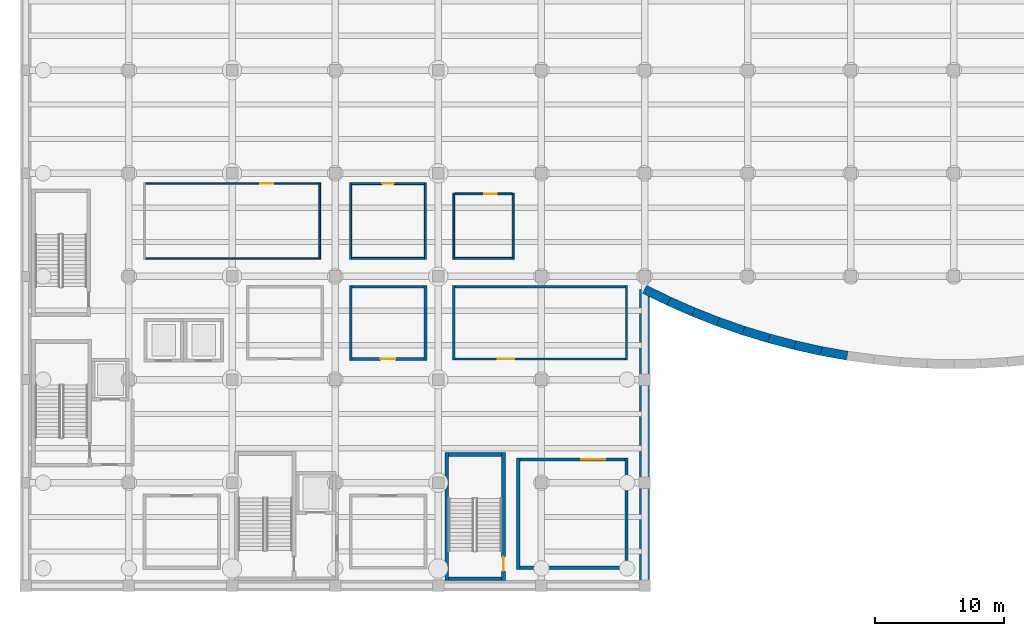
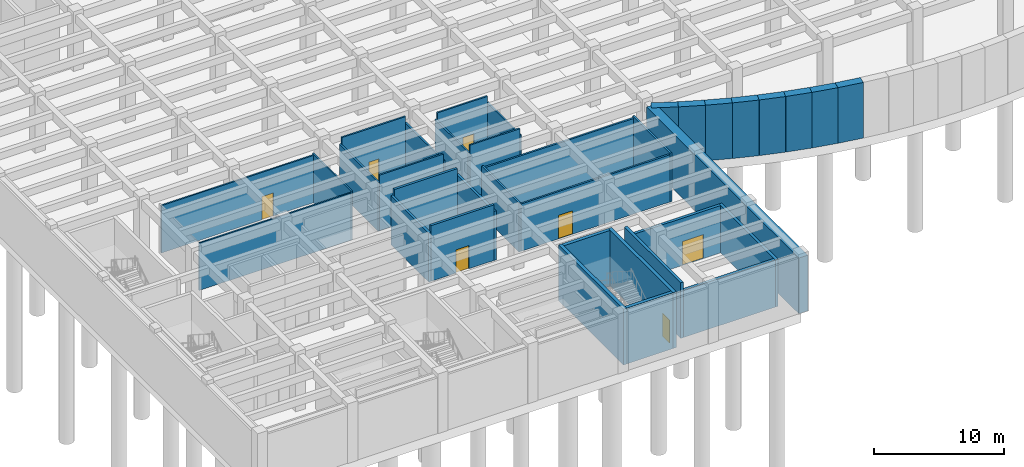
# One storey, part 7 of 18: 36 walls, 7 doors, 7 openings.
"""IFC4 building model written with IfcOpenShell, lengths in metres."""

from ifc_helpers import new_model, si_unit, direction, frame, frame_2d, origin, place, context, subcontext, project, spatial, rectangle, extrude, material, layer, layer_set, type_object, element, fill, save


model = new_model("IFC4")

# Units and contexts
model_context = context("Model", 3, precision=1e-05, world=origin(), true_north=direction((0.0, 1.0)))
body_context = subcontext(model_context, "Body", "Model", "MODEL_VIEW")
ifc_project = project(units=[si_unit("LENGTHUNIT", "METRE"), si_unit("AREAUNIT", "SQUARE_METRE"), si_unit("VOLUMEUNIT", "CUBIC_METRE"), si_unit("PLANEANGLEUNIT", "RADIAN"), si_unit("MASSUNIT", "GRAM", prefix="KILO")], contexts=[model_context])

# Site, building, storey
site_placement = place(None, origin())
site = spatial("IfcSite", under=ifc_project, at=site_placement, CompositionType="ELEMENT")
building_placement = place(site_placement, origin())
building = spatial("IfcBuilding", under=site, at=building_placement, Name="Drelvath Fold Interchange", CompositionType="ELEMENT")
storey_placement = place(building_placement, frame((0.0, 0.0, -11.199951171875)))
storey = spatial("IfcBuildingStorey", under=building, at=storey_placement, Name="B2", CompositionType="ELEMENT", Elevation=-11.199951171875)

# Wall
ifc_material_1 = material(Name="Concrete f'c 45 MPa (6500 psi)", Category="concrete")
ifc_layer_1 = layer(ifc_material_1, 0.300048828125, Name="Concrete f'c 45 MPa (6500 psi)")
ifc_layer_set_1 = layer_set([ifc_layer_1], Name="Concrete f'c 45 MPa (6500 psi)")
wall_type_1 = type_object("IfcWallType", Name="WL-CR300", PredefinedType="SHEAR", material=ifc_layer_set_1)
wall_1_placement = place(storey_placement, frame((36.800048828125, 3.550048828125, 0.0), z_axis=(0.0, 0.0, 1.0), x_axis=(1.0, 0.0, 0.0)))
element("IfcWall", 1, at=wall_1_placement, inside=storey, type_object=wall_type_1, Name="ST-04 B2 south core wall", PredefinedType="SHEAR", context=body_context, shape_type="SweptSolid", body=[
    extrude(rectangle(XDim=4.099853515625, YDim=0.300048828125, at=frame_2d((2.0498046875, 0.0))), origin(), (0.0, 0.0, 1.0), 5.23486328125),
])

# Wall, opening, door
wall_2_placement = place(storey_placement, frame((41.050048828125, 3.39990234375, 0.0), z_axis=(0.0, 0.0, 1.0), x_axis=(0.0, 1.0, 0.0)))
wall_2 = element("IfcWall", 2, at=wall_2_placement, inside=storey, type_object=wall_type_1, Name="ST-04 B2 east core wall", PredefinedType="SHEAR", context=body_context, shape_type="SweptSolid", body=[
    extrude(rectangle(XDim=9.9501953125, YDim=0.300048828125, at=frame_2d((4.97509765625, 0.0))), origin(), (0.0, 0.0, 1.0), 5.23486328125),
])
opening_1_placement = place(wall_2_placement, frame((0.75, 0.0, 0.0)))
opening_1 = element("IfcOpeningElement", 3, at=opening_1_placement, cuts=wall_2, Name="Opening D-B2-025", PredefinedType="OPENING", context=body_context, shape_type="SweptSolid", body=[
    extrude(rectangle(XDim=1.10009765625, YDim=2.14990234375, at=frame_2d((0.550048828125, 1.074951171875))), frame((0.0, 0.159912109375, 0.0), z_axis=(0.0, -1.0, 0.0), x_axis=(1.0, 0.0, 0.0)), (0.0, 0.0, 1.0), 0.320068359375),
])
ifc_material_2 = material(Name="Insulated Hollow Metal Door Assembly")
door_type_1 = type_object("IfcDoorType", Name="DR-ST1100", OperationType="NOTDEFINED", PredefinedType="DOOR", material=ifc_material_2)
door_1_placement = place(opening_1_placement, origin())
door_1 = element("IfcDoor", 4, at=door_1_placement, inside=storey, type_object=door_type_1, Name="ST-04 B2 stair fire door D-B2-025", OperationType="SINGLE_SWING_LEFT", OverallHeight=2.14990234375, OverallWidth=1.10009765625, PredefinedType="DOOR", context=body_context, shape_type="SweptSolid", body=[
    extrude(rectangle(XDim=1.10009765625, YDim=2.14990234375, at=frame_2d((0.550048828125, 1.074951171875))), frame((0.0, 0.02490234375, 0.0), z_axis=(0.0, -1.0, 0.0), x_axis=(1.0, 0.0, 0.0)), (0.0, 0.0, 1.0), 0.050048828125),
])
fill(opening_1, door_1)

# Walls
wall_3_placement = place(storey_placement, frame((40.89990234375, 13.199951171875, 0.0), z_axis=(0.0, 0.0, 1.0), x_axis=(-1.0, 0.0, 0.0)))
element("IfcWall", 5, at=wall_3_placement, inside=storey, type_object=wall_type_1, Name="ST-04 B2 north core wall", PredefinedType="SHEAR", context=body_context, shape_type="SweptSolid", body=[
    extrude(rectangle(XDim=4.099853515625, YDim=0.300048828125, at=frame_2d((2.0498046875, 0.0))), origin(), (0.0, 0.0, 1.0), 5.23486328125),
])
wall_4_placement = place(storey_placement, frame((36.64990234375, 13.35009765625, 0.0), z_axis=(0.0, 0.0, 1.0), x_axis=(0.0, -1.0, 0.0)))
element("IfcWall", 6, at=wall_4_placement, inside=storey, type_object=wall_type_1, Name="ST-04 B2 west core wall", PredefinedType="SHEAR", context=body_context, shape_type="SweptSolid", body=[
    extrude(rectangle(XDim=9.9501953125, YDim=0.300048828125, at=frame_2d((4.97509765625, 0.0))), origin(), (0.0, 0.0, 1.0), 5.23486328125),
])
ifc_layer_2 = layer(ifc_material_1, 0.699951171875, Name="Concrete f'c 45 MPa (6500 psi)")
ifc_layer_set_2 = layer_set([ifc_layer_2], Name="Concrete f'c 45 MPa (6500 psi)")
wall_type_2 = type_object("IfcWallType", Name="WL-DW700", PredefinedType="SOLIDWALL", material=ifc_layer_set_2)
wall_5_placement = place(storey_placement, frame((52.0, 26.0, 0.0), z_axis=(0.0, 0.0, 1.0), x_axis=(0.898225606886, -0.439534707543, 0.0)))
element("IfcWall", 7, at=wall_5_placement, inside=storey, type_object=wall_type_2, Name="B2 diaphragm wall 8", PredefinedType="SOLIDWALL", context=body_context, shape_type="SweptSolid", body=[
    extrude(rectangle(XDim=2.077392578125, YDim=0.699951171875, at=frame_2d((1.03857421875, 0.0))), origin(), (0.0, 0.0, 1.0), 5.219970703125),
])
wall_6_placement = place(storey_placement, frame((53.865966796875, 25.0869140625, 0.0), z_axis=(0.0, 0.0, 1.0), x_axis=(0.914990571721, -0.403475220628, 0.0)))
element("IfcWall", 8, at=wall_6_placement, inside=storey, type_object=wall_type_2, Name="B2 diaphragm wall 9", PredefinedType="SOLIDWALL", context=body_context, shape_type="SweptSolid", body=[
    extrude(rectangle(XDim=2.07666015625, YDim=0.699951171875, at=frame_2d((1.038330078125, 0.0))), origin(), (0.0, 0.0, 1.0), 5.219970703125),
])
for number, where, z_axis, x_axis, name in (
    (9, (55.76611328125, 24.2490234375, 0.0), (0.0, 0.0, 1.0), (0.930097108534, -0.367313719723, 0.0), "B2 diaphragm wall 10"),
    (10, (57.697998046875, 23.486083984375, 0.0), (0.0, 0.0, 1.0), (0.944048769858, -0.329805882498, 0.0), "B2 diaphragm wall 11"),
):
    element("IfcWall", number, at=place(storey_placement, frame(where, z_axis=z_axis, x_axis=x_axis)), inside=storey, type_object=wall_type_2, Name=name, PredefinedType="SOLIDWALL", context=body_context, shape_type="SweptSolid", body=[
        extrude(rectangle(XDim=2.0771484375, YDim=0.699951171875, at=frame_2d((1.03857421875, 0.0))), origin(), (0.0, 0.0, 1.0), 5.219970703125),
    ])
wall_7_placement = place(storey_placement, frame((59.658935546875, 22.801025390625, 0.0), z_axis=(0.0, 0.0, 1.0), x_axis=(0.956341531937, -0.292251388862, 0.0)))
element("IfcWall", 11, at=wall_7_placement, inside=storey, type_object=wall_type_2, Name="B2 diaphragm wall 12", PredefinedType="SOLIDWALL", context=body_context, shape_type="SweptSolid", body=[
    extrude(rectangle(XDim=2.07666015625, YDim=0.699951171875, at=frame_2d((1.038330078125, 0.0))), origin(), (0.0, 0.0, 1.0), 5.219970703125),
])
wall_8_placement = place(storey_placement, frame((61.64501953125, 22.194091796875, 0.0), z_axis=(0.0, 0.0, 1.0), x_axis=(0.967031901637, -0.254655259551, 0.0)))
element("IfcWall", 12, at=wall_8_placement, inside=storey, type_object=wall_type_2, Name="B2 diaphragm wall 13", PredefinedType="SOLIDWALL", context=body_context, shape_type="SweptSolid", body=[
    extrude(rectangle(XDim=2.07763671875, YDim=0.699951171875, at=frame_2d((1.038818359375, 0.0))), origin(), (0.0, 0.0, 1.0), 5.219970703125),
])
wall_9_placement = place(storey_placement, frame((63.654052734375, 21.6650390625, 0.0), z_axis=(0.0, 0.0, 1.0), x_axis=(0.976454627241, -0.215722879965, 0.0)))
element("IfcWall", 13, at=wall_9_placement, inside=storey, type_object=wall_type_2, Name="B2 diaphragm wall 14", PredefinedType="SOLIDWALL", context=body_context, shape_type="SweptSolid", body=[
    extrude(rectangle(XDim=2.07666015625, YDim=0.699951171875, at=frame_2d((1.038330078125, 0.0))), origin(), (0.0, 0.0, 1.0), 5.219970703125),
])
wall_10_placement = place(storey_placement, frame((65.681884765625, 21.217041015625, 0.0), z_axis=(0.0, 0.0, 1.0), x_axis=(0.984186192965, -0.177137058736, 0.0)))
element("IfcWall", 14, at=wall_10_placement, inside=storey, type_object=wall_type_2, Name="B2 diaphragm wall 15", PredefinedType="SOLIDWALL", context=body_context, shape_type="SweptSolid", body=[
    extrude(rectangle(XDim=2.0771484375, YDim=0.699951171875, at=frame_2d((1.03857421875, 0.0))), origin(), (0.0, 0.0, 1.0), 5.219970703125),
])
ifc_layer_3 = layer(ifc_material_1, 0.800048828125, Name="Concrete f'c 45 MPa (6500 psi)")
ifc_layer_set_3 = layer_set([ifc_layer_3], Name="Concrete f'c 45 MPa (6500 psi)")
wall_type_3 = type_object("IfcWallType", Name="WL-DW800", PredefinedType="SOLIDWALL", material=ifc_layer_set_3)
wall_11_placement = place(storey_placement, frame((52.0, 2.60009765625, 0.0), z_axis=(0.0, 0.0, 1.0), x_axis=(0.0, 1.0, 0.0)))
element("IfcWall", 15, at=wall_11_placement, inside=storey, type_object=wall_type_3, Name="B2 diaphragm wall 2", PredefinedType="SOLIDWALL", context=body_context, shape_type="SweptSolid", body=[
    extrude(rectangle(XDim=23.39990234375, YDim=0.800048828125, at=frame_2d((11.699951171875, 0.0))), origin(), (0.0, 0.0, 1.0), 5.219970703125),
])

# Wall, opening, door
ifc_material_3 = material(Name="Fire-Rated Gypsum Board Assembly")
ifc_layer_4 = layer(ifc_material_3, 0.159912109375, Name="Fire-Rated Gypsum Board Assembly")
ifc_layer_set_4 = layer_set([ifc_layer_4], Name="Fire-Rated Gypsum Board Assembly")
wall_type_4 = type_object("IfcWallType", Name="WL-FR160", PredefinedType="PARTITIONING", material=ifc_layer_set_4)
wall_12_placement = place(storey_placement, frame((37.280029296875, 20.60009765625, 0.0), z_axis=(0.0, 0.0, 1.0), x_axis=(1.0, 0.0, 0.0)))
wall_12 = element("IfcWall", 16, at=wall_12_placement, inside=storey, type_object=wall_type_4, Name="Track Maintenance Equipment Store S partition", PredefinedType="PARTITIONING", context=body_context, shape_type="SweptSolid", body=[
    extrude(rectangle(XDim=13.239990234375, YDim=0.159912109375, at=frame_2d((6.6201171875, 0.0))), origin(), (0.0, 0.0, 1.0), 4.43505859375),
])
opening_2_placement = place(wall_12_placement, frame((3.342041015625, 0.0, 0.0)))
opening_2 = element("IfcOpeningElement", 17, at=opening_2_placement, cuts=wall_12, Name="Opening D-B2-075", PredefinedType="OPENING", context=body_context, shape_type="SweptSolid", body=[
    extrude(rectangle(XDim=1.260009765625, YDim=2.199951171875, at=frame_2d((0.6298828125, 1.10009765625))), frame((0.0, 0.08984375, 0.0), z_axis=(0.0, -1.0, 0.0), x_axis=(1.0, 0.0, 0.0)), (0.0, 0.0, 1.0), 0.179931640625),
])
door_type_2 = type_object("IfcDoorType", Name="DR-FD126", OperationType="NOTDEFINED", PredefinedType="DOOR", material=ifc_material_2)
door_2_placement = place(opening_2_placement, origin())
door_2 = element("IfcDoor", 18, at=door_2_placement, inside=storey, type_object=door_type_2, Name="Track Maintenance Equipment Store door D-B2-075", OperationType="SINGLE_SWING_RIGHT", OverallHeight=2.199951171875, OverallWidth=1.260009765625, PredefinedType="DOOR", context=body_context, shape_type="SweptSolid", body=[
    extrude(rectangle(XDim=1.260009765625, YDim=2.199951171875, at=frame_2d((0.6298828125, 1.10009765625))), frame((0.0, 0.02490234375, 0.0), z_axis=(0.0, -1.0, 0.0), x_axis=(1.0, 0.0, 0.0)), (0.0, 0.0, 1.0), 0.050048828125),
])
fill(opening_2, door_2)

# Walls
wall_13_placement = place(storey_placement, frame((50.60009765625, 20.52001953125, 0.0), z_axis=(0.0, 0.0, 1.0), x_axis=(0.0, 1.0, 0.0)))
element("IfcWall", 19, at=wall_13_placement, inside=storey, type_object=wall_type_4, Name="Track Maintenance Equipment Store E partition", PredefinedType="PARTITIONING", context=body_context, shape_type="SweptSolid", body=[
    extrude(rectangle(XDim=5.760009765625, YDim=0.159912109375, at=frame_2d((2.8798828125, 0.0))), origin(), (0.0, 0.0, 1.0), 4.5849609375),
])
wall_14_placement = place(storey_placement, frame((50.52001953125, 26.199951171875, 0.0), z_axis=(0.0, 0.0, 1.0), x_axis=(-1.0, 0.0, 0.0)))
element("IfcWall", 20, at=wall_14_placement, inside=storey, type_object=wall_type_4, Name="Track Maintenance Equipment Store N partition", PredefinedType="PARTITIONING", context=body_context, shape_type="SweptSolid", body=[
    extrude(rectangle(XDim=13.239990234375, YDim=0.159912109375, at=frame_2d((6.6201171875, 0.0))), origin(), (0.0, 0.0, 1.0), 4.43505859375),
])
wall_15_placement = place(storey_placement, frame((37.199951171875, 26.280029296875, 0.0), z_axis=(0.0, 0.0, 1.0), x_axis=(0.0, -1.0, 0.0)))
element("IfcWall", 21, at=wall_15_placement, inside=storey, type_object=wall_type_4, Name="Track Maintenance Equipment Store W partition", PredefinedType="PARTITIONING", context=body_context, shape_type="SweptSolid", body=[
    extrude(rectangle(XDim=5.760009765625, YDim=0.159912109375, at=frame_2d((2.8798828125, 0.0))), origin(), (0.0, 0.0, 1.0), 4.5849609375),
])

# Wall, opening, door
ifc_material_4 = material(Name="Concrete f'c 35 MPa (5000 psi)", Category="concrete")
ifc_layer_5 = layer(ifc_material_4, 0.2099609375, Name="Concrete f'c 35 MPa (5000 psi)")
ifc_layer_set_5 = layer_set([ifc_layer_5], Name="Concrete f'c 35 MPa (5000 psi)")
wall_type_5 = type_object("IfcWallType", Name="WL-FR210", PredefinedType="SOLIDWALL", material=ifc_layer_set_5)
wall_16_placement = place(storey_placement, frame((29.304931640625, 20.60009765625, 0.0), z_axis=(0.0, 0.0, 1.0), x_axis=(1.0, 0.0, 0.0)))
wall_16 = element("IfcWall", 22, at=wall_16_placement, inside=storey, type_object=wall_type_5, Name="Deep Sump and Fire Pump Room S partition", PredefinedType="SOLIDWALL", context=body_context, shape_type="SweptSolid", body=[
    extrude(rectangle(XDim=5.590087890625, YDim=0.2099609375, at=frame_2d((2.794921875, 0.0))), origin(), (0.0, 0.0, 1.0), 5.219970703125),
])
opening_3_placement = place(wall_16_placement, frame((2.22509765625, 0.0, 0.0)))
opening_3 = element("IfcOpeningElement", 23, at=opening_3_placement, cuts=wall_16, Name="Opening D-B2-074", PredefinedType="OPENING", context=body_context, shape_type="SweptSolid", body=[
    extrude(rectangle(XDim=1.139892578125, YDim=2.179931640625, at=frame_2d((0.56982421875, 1.08984375))), frame((0.0, 0.114990234375, 0.0), z_axis=(0.0, -1.0, 0.0), x_axis=(1.0, 0.0, 0.0)), (0.0, 0.0, 1.0), 0.22998046875),
])
door_type_3 = type_object("IfcDoorType", Name="DR-FD114", OperationType="NOTDEFINED", PredefinedType="DOOR", material=ifc_material_2)
door_3_placement = place(opening_3_placement, origin())
door_3 = element("IfcDoor", 24, at=door_3_placement, inside=storey, type_object=door_type_3, Name="Deep Sump and Fire Pump Room door D-B2-074", OperationType="SINGLE_SWING_LEFT", OverallHeight=2.179931640625, OverallWidth=1.139892578125, PredefinedType="DOOR", context=body_context, shape_type="SweptSolid", body=[
    extrude(rectangle(XDim=1.139892578125, YDim=2.179931640625, at=frame_2d((0.56982421875, 1.08984375))), frame((0.0, 0.02490234375, 0.0), z_axis=(0.0, -1.0, 0.0), x_axis=(1.0, 0.0, 0.0)), (0.0, 0.0, 1.0), 0.050048828125),
])
fill(opening_3, door_3)

# Walls
wall_17_placement = place(storey_placement, frame((35.0, 20.4951171875, 0.0), z_axis=(0.0, 0.0, 1.0), x_axis=(0.0, 1.0, 0.0)))
element("IfcWall", 25, at=wall_17_placement, inside=storey, type_object=wall_type_5, Name="Deep Sump and Fire Pump Room E partition", PredefinedType="SOLIDWALL", context=body_context, shape_type="SweptSolid", body=[
    extrude(rectangle(XDim=5.809814453125, YDim=0.2099609375, at=frame_2d((2.90478515625, 0.0))), origin(), (0.0, 0.0, 1.0), 4.5849609375),
])
wall_18_placement = place(storey_placement, frame((34.89501953125, 26.199951171875, 0.0), z_axis=(0.0, 0.0, 1.0), x_axis=(-1.0, 0.0, 0.0)))
element("IfcWall", 26, at=wall_18_placement, inside=storey, type_object=wall_type_5, Name="Deep Sump and Fire Pump Room N partition", PredefinedType="SOLIDWALL", context=body_context, shape_type="SweptSolid", body=[
    extrude(rectangle(XDim=5.590087890625, YDim=0.2099609375, at=frame_2d((2.794921875, 0.0))), origin(), (0.0, 0.0, 1.0), 5.219970703125),
])
wall_19_placement = place(storey_placement, frame((29.199951171875, 26.304931640625, 0.0), z_axis=(0.0, 0.0, 1.0), x_axis=(0.0, -1.0, 0.0)))
element("IfcWall", 27, at=wall_19_placement, inside=storey, type_object=wall_type_5, Name="Deep Sump and Fire Pump Room W partition", PredefinedType="SOLIDWALL", context=body_context, shape_type="SweptSolid", body=[
    extrude(rectangle(XDim=5.809814453125, YDim=0.2099609375, at=frame_2d((2.90478515625, 0.0))), origin(), (0.0, 0.0, 1.0), 4.5849609375),
])
ifc_layer_6 = layer(ifc_material_4, 0.2451171875, Name="Concrete f'c 35 MPa (5000 psi)")
ifc_layer_set_6 = layer_set([ifc_layer_6], Name="Concrete f'c 35 MPa (5000 psi)")
wall_type_6 = type_object("IfcWallType", Name="WL-FR245", PredefinedType="SOLIDWALL", material=ifc_layer_set_6)
wall_20_placement = place(storey_placement, frame((42.322998046875, 4.39990234375, 0.0), z_axis=(0.0, 0.0, 1.0), x_axis=(1.0, 0.0, 0.0)))
element("IfcWall", 28, at=wall_20_placement, inside=storey, type_object=wall_type_6, Name="South Tunnel Ventilation Plant Room S partition", PredefinedType="SOLIDWALL", context=body_context, shape_type="SweptSolid", body=[
    extrude(rectangle(XDim=8.154052734375, YDim=0.2451171875, at=frame_2d((4.0771484375, 0.0))), origin(), (0.0, 0.0, 1.0), 4.43505859375),
])
wall_21_placement = place(storey_placement, frame((50.60009765625, 4.278076171875, 0.0), z_axis=(0.0, 0.0, 1.0), x_axis=(0.0, 1.0, 0.0)))
element("IfcWall", 29, at=wall_21_placement, inside=storey, type_object=wall_type_6, Name="South Tunnel Ventilation Plant Room E partition", PredefinedType="SOLIDWALL", context=body_context, shape_type="SweptSolid", body=[
    extrude(rectangle(XDim=8.64501953125, YDim=0.2451171875, at=frame_2d((4.322509765625, 0.0))), origin(), (0.0, 0.0, 1.0), 4.43505859375),
])

# Wall, opening, door
wall_22_placement = place(storey_placement, frame((50.47705078125, 12.800048828125, 0.0), z_axis=(0.0, 0.0, 1.0), x_axis=(-1.0, 0.0, 0.0)))
wall_22 = element("IfcWall", 30, at=wall_22_placement, inside=storey, type_object=wall_type_6, Name="South Tunnel Ventilation Plant Room N partition", PredefinedType="SOLIDWALL", context=body_context, shape_type="SweptSolid", body=[
    extrude(rectangle(XDim=8.154052734375, YDim=0.2451171875, at=frame_2d((4.0771484375, 0.0))), origin(), (0.0, 0.0, 1.0), 4.43505859375),
])
opening_4_placement = place(wall_22_placement, frame((1.52099609375, 0.0, 0.0)))
opening_4 = element("IfcOpeningElement", 31, at=opening_4_placement, cuts=wall_22, Name="Opening D-B2-072", PredefinedType="OPENING", context=body_context, shape_type="SweptSolid", body=[
    extrude(rectangle(XDim=1.85009765625, YDim=2.239990234375, at=frame_2d((0.925048828125, 1.1201171875))), frame((0.0, 0.132568359375, 0.0), z_axis=(0.0, -1.0, 0.0), x_axis=(1.0, 0.0, 0.0)), (0.0, 0.0, 1.0), 0.26513671875),
])
door_type_4 = type_object("IfcDoorType", Name="DR-FD185", OperationType="DOUBLE_DOOR_SINGLE_SWING", PredefinedType="DOOR", material=ifc_material_2)
door_4_placement = place(opening_4_placement, frame((1.85009765625, 0.0, 0.0), z_axis=(0.0, 0.0, 1.0), x_axis=(-1.0, 0.0, 0.0)))
door_4 = element("IfcDoor", 32, at=door_4_placement, inside=storey, type_object=door_type_4, Name="South Tunnel Ventilation Plant Room door D-B2-072", OperationType="DOUBLE_DOOR_SINGLE_SWING", OverallHeight=2.239990234375, OverallWidth=1.85009765625, PredefinedType="DOOR", context=body_context, shape_type="SweptSolid", body=[
    extrude(rectangle(XDim=1.85009765625, YDim=2.239990234375, at=frame_2d((0.925048828125, 1.1201171875))), frame((0.0, 0.02490234375, 0.0), z_axis=(0.0, -1.0, 0.0), x_axis=(1.0, 0.0, 0.0)), (0.0, 0.0, 1.0), 0.050048828125),
])
fill(opening_4, door_4)

# Walls
wall_23_placement = place(storey_placement, frame((42.199951171875, 12.923095703125, 0.0), z_axis=(0.0, 0.0, 1.0), x_axis=(0.0, -1.0, 0.0)))
element("IfcWall", 33, at=wall_23_placement, inside=storey, type_object=wall_type_6, Name="South Tunnel Ventilation Plant Room W partition", PredefinedType="SOLIDWALL", context=body_context, shape_type="SweptSolid", body=[
    extrude(rectangle(XDim=8.64501953125, YDim=0.2451171875, at=frame_2d((4.322509765625, 0.0))), origin(), (0.0, 0.0, 1.0), 5.219970703125),
])
ifc_material_5 = material(Name="Acoustic Gypsum Board Partition Assembly")
ifc_layer_7 = layer(ifc_material_5, 0.1298828125, Name="Acoustic Gypsum Board Partition Assembly")
ifc_layer_set_7 = layer_set([ifc_layer_7], Name="Acoustic Gypsum Board Partition Assembly")
wall_type_7 = type_object("IfcWallType", Name="WL-PT130", PredefinedType="PARTITIONING", material=ifc_layer_set_7)
wall_24_placement = place(storey_placement, frame((13.264892578125, 28.39990234375, 0.0), z_axis=(0.0, 0.0, 1.0), x_axis=(1.0, 0.0, 0.0)))
element("IfcWall", 34, at=wall_24_placement, inside=storey, type_object=wall_type_7, Name="Platform Staff Mess and Briefing S partition", PredefinedType="PARTITIONING", context=body_context, shape_type="SweptSolid", body=[
    extrude(rectangle(XDim=13.47021484375, YDim=0.1298828125, at=frame_2d((6.735107421875, 0.0))), origin(), (0.0, 0.0, 1.0), 4.43505859375),
])
wall_25_placement = place(storey_placement, frame((26.800048828125, 28.3349609375, 0.0), z_axis=(0.0, 0.0, 1.0), x_axis=(0.0, 1.0, 0.0)))
element("IfcWall", 35, at=wall_25_placement, inside=storey, type_object=wall_type_7, Name="Platform Staff Mess and Briefing E partition", PredefinedType="PARTITIONING", context=body_context, shape_type="SweptSolid", body=[
    extrude(rectangle(XDim=5.929931640625, YDim=0.1298828125, at=frame_2d((2.96484375, 0.0))), origin(), (0.0, 0.0, 1.0), 4.5849609375),
])

# Wall, opening, door
wall_26_placement = place(storey_placement, frame((26.735107421875, 34.199951171875, 0.0), z_axis=(0.0, 0.0, 1.0), x_axis=(-1.0, 0.0, 0.0)))
wall_26 = element("IfcWall", 36, at=wall_26_placement, inside=storey, type_object=wall_type_7, Name="Platform Staff Mess and Briefing N partition", PredefinedType="PARTITIONING", context=body_context, shape_type="SweptSolid", body=[
    extrude(rectangle(XDim=13.47021484375, YDim=0.1298828125, at=frame_2d((6.735107421875, 0.0))), origin(), (0.0, 0.0, 1.0), 4.43505859375),
])
opening_5_placement = place(wall_26_placement, frame((3.541015625, 0.0, 0.0)))
opening_5 = element("IfcOpeningElement", 37, at=opening_5_placement, cuts=wall_26, Name="Opening D-B2-076", PredefinedType="OPENING", context=body_context, shape_type="SweptSolid", body=[
    extrude(rectangle(XDim=1.0, YDim=2.14990234375, at=frame_2d((0.5, 1.074951171875))), frame((0.0, 0.074951171875, 0.0), z_axis=(0.0, -1.0, 0.0), x_axis=(1.0, 0.0, 0.0)), (0.0, 0.0, 1.0), 0.14990234375),
])
ifc_material_6 = material(Name="Anodized Aluminium Glazed Door Assembly", Category="aluminium")
door_type_5 = type_object("IfcDoorType", Name="DR-NR100", OperationType="NOTDEFINED", PredefinedType="DOOR", material=ifc_material_6)
door_5_placement = place(opening_5_placement, origin())
door_5 = element("IfcDoor", 38, at=door_5_placement, inside=storey, type_object=door_type_5, Name="Platform Staff Mess and Briefing door D-B2-076", OperationType="SINGLE_SWING_LEFT", OverallHeight=2.14990234375, OverallWidth=1.0, PredefinedType="DOOR", context=body_context, shape_type="SweptSolid", body=[
    extrude(rectangle(XDim=1.0, YDim=2.14990234375, at=frame_2d((0.5, 1.074951171875))), frame((0.0, 0.02490234375, 0.0), z_axis=(0.0, -1.0, 0.0), x_axis=(1.0, 0.0, 0.0)), (0.0, 0.0, 1.0), 0.050048828125),
])
fill(opening_5, door_5)

# Walls
ifc_layer_8 = layer(ifc_material_5, 0.14501953125, Name="Acoustic Gypsum Board Partition Assembly")
ifc_layer_set_8 = layer_set([ifc_layer_8], Name="Acoustic Gypsum Board Partition Assembly")
wall_type_8 = type_object("IfcWallType", Name="WL-PT145", PredefinedType="PARTITIONING", material=ifc_layer_set_8)
wall_27_placement = place(storey_placement, frame((29.27294921875, 28.39990234375, 0.0), z_axis=(0.0, 0.0, 1.0), x_axis=(1.0, 0.0, 0.0)))
element("IfcWall", 39, at=wall_27_placement, inside=storey, type_object=wall_type_8, Name="Platform Public Toilet Block S partition", PredefinedType="PARTITIONING", context=body_context, shape_type="SweptSolid", body=[
    extrude(rectangle(XDim=5.655029296875, YDim=0.14501953125, at=frame_2d((2.82763671875, 0.0))), origin(), (0.0, 0.0, 1.0), 5.219970703125),
])
wall_28_placement = place(storey_placement, frame((35.0, 28.326904296875, 0.0), z_axis=(0.0, 0.0, 1.0), x_axis=(0.0, 1.0, 0.0)))
element("IfcWall", 40, at=wall_28_placement, inside=storey, type_object=wall_type_8, Name="Platform Public Toilet Block E partition", PredefinedType="PARTITIONING", context=body_context, shape_type="SweptSolid", body=[
    extrude(rectangle(XDim=5.946044921875, YDim=0.14501953125, at=frame_2d((2.97314453125, 0.0))), origin(), (0.0, 0.0, 1.0), 4.5849609375),
])

# Wall, opening, door
wall_29_placement = place(storey_placement, frame((34.927978515625, 34.199951171875, 0.0), z_axis=(0.0, 0.0, 1.0), x_axis=(-1.0, 0.0, 0.0)))
wall_29 = element("IfcWall", 41, at=wall_29_placement, inside=storey, type_object=wall_type_8, Name="Platform Public Toilet Block N partition", PredefinedType="PARTITIONING", context=body_context, shape_type="SweptSolid", body=[
    extrude(rectangle(XDim=5.655029296875, YDim=0.14501953125, at=frame_2d((2.82763671875, 0.0))), origin(), (0.0, 0.0, 1.0), 5.219970703125),
])
opening_6_placement = place(wall_29_placement, frame((2.386962890625, 0.0, 0.0)))
opening_6 = element("IfcOpeningElement", 42, at=opening_6_placement, cuts=wall_29, Name="Opening D-B2-077", PredefinedType="OPENING", context=body_context, shape_type="SweptSolid", body=[
    extrude(rectangle(XDim=0.8798828125, YDim=2.080078125, at=frame_2d((0.43994140625, 1.0400390625))), frame((0.0, 0.08251953125, 0.0), z_axis=(0.0, -1.0, 0.0), x_axis=(1.0, 0.0, 0.0)), (0.0, 0.0, 1.0), 0.1650390625),
])
door_type_6 = type_object("IfcDoorType", Name="DR-NR088", OperationType="NOTDEFINED", PredefinedType="DOOR", material=ifc_material_6)
door_6_placement = place(opening_6_placement, origin())
door_6 = element("IfcDoor", 43, at=door_6_placement, inside=storey, type_object=door_type_6, Name="Platform Public Toilet Block door D-B2-077", OperationType="SINGLE_SWING_RIGHT", OverallHeight=2.080078125, OverallWidth=0.8798828125, PredefinedType="DOOR", context=body_context, shape_type="SweptSolid", body=[
    extrude(rectangle(XDim=0.8798828125, YDim=2.080078125, at=frame_2d((0.43994140625, 1.0400390625))), frame((0.0, 0.02490234375, 0.0), z_axis=(0.0, -1.0, 0.0), x_axis=(1.0, 0.0, 0.0)), (0.0, 0.0, 1.0), 0.050048828125),
])
fill(opening_6, door_6)

# Walls
wall_30_placement = place(storey_placement, frame((29.199951171875, 34.27294921875, 0.0), z_axis=(0.0, 0.0, 1.0), x_axis=(0.0, -1.0, 0.0)))
element("IfcWall", 44, at=wall_30_placement, inside=storey, type_object=wall_type_8, Name="Platform Public Toilet Block W partition", PredefinedType="PARTITIONING", context=body_context, shape_type="SweptSolid", body=[
    extrude(rectangle(XDim=5.946044921875, YDim=0.14501953125, at=frame_2d((2.97314453125, 0.0))), origin(), (0.0, 0.0, 1.0), 4.5849609375),
])
wall_31_placement = place(storey_placement, frame((37.27294921875, 28.39990234375, 0.0), z_axis=(0.0, 0.0, 1.0), x_axis=(1.0, 0.0, 0.0)))
element("IfcWall", 45, at=wall_31_placement, inside=storey, type_object=wall_type_8, Name="Platform Accessible WC S partition", PredefinedType="PARTITIONING", context=body_context, shape_type="SweptSolid", body=[
    extrude(rectangle(XDim=4.4541015625, YDim=0.14501953125, at=frame_2d((2.22705078125, 0.0))), origin(), (0.0, 0.0, 1.0), 5.219970703125),
])
wall_32_placement = place(storey_placement, frame((41.800048828125, 28.326904296875, 0.0), z_axis=(0.0, 0.0, 1.0), x_axis=(0.0, 1.0, 0.0)))
element("IfcWall", 46, at=wall_32_placement, inside=storey, type_object=wall_type_8, Name="Platform Accessible WC E partition", PredefinedType="PARTITIONING", context=body_context, shape_type="SweptSolid", body=[
    extrude(rectangle(XDim=5.14501953125, YDim=0.14501953125, at=frame_2d((2.572509765625, 0.0))), origin(), (0.0, 0.0, 1.0), 4.5849609375),
])

# Wall, opening, door
wall_33_placement = place(storey_placement, frame((41.72705078125, 33.39990234375, 0.0), z_axis=(0.0, 0.0, 1.0), x_axis=(-1.0, 0.0, 0.0)))
wall_33 = element("IfcWall", 47, at=wall_33_placement, inside=storey, type_object=wall_type_8, Name="Platform Accessible WC N partition", PredefinedType="PARTITIONING", context=body_context, shape_type="SweptSolid", body=[
    extrude(rectangle(XDim=4.4541015625, YDim=0.14501953125, at=frame_2d((2.22705078125, 0.0))), origin(), (0.0, 0.0, 1.0), 5.219970703125),
])
opening_7_placement = place(wall_33_placement, frame((1.212890625, 0.0, 0.0)))
opening_7 = element("IfcOpeningElement", 48, at=opening_7_placement, cuts=wall_33, Name="Opening D-B2-078", PredefinedType="OPENING", context=body_context, shape_type="SweptSolid", body=[
    extrude(rectangle(XDim=0.9599609375, YDim=2.1201171875, at=frame_2d((0.47998046875, 1.06005859375))), frame((0.0, 0.08251953125, 0.0), z_axis=(0.0, -1.0, 0.0), x_axis=(1.0, 0.0, 0.0)), (0.0, 0.0, 1.0), 0.1650390625),
])
door_type_7 = type_object("IfcDoorType", Name="DR-NR096", OperationType="NOTDEFINED", PredefinedType="DOOR", material=ifc_material_6)
door_7_placement = place(opening_7_placement, frame((0.9599609375, 0.0, 0.0), z_axis=(0.0, 0.0, 1.0), x_axis=(-1.0, 0.0, 0.0)))
door_7 = element("IfcDoor", 49, at=door_7_placement, inside=storey, type_object=door_type_7, Name="Platform Accessible WC door D-B2-078", OperationType="SINGLE_SWING_LEFT", OverallHeight=2.1201171875, OverallWidth=0.9599609375, PredefinedType="DOOR", context=body_context, shape_type="SweptSolid", body=[
    extrude(rectangle(XDim=0.9599609375, YDim=2.1201171875, at=frame_2d((0.47998046875, 1.06005859375))), frame((0.0, 0.02490234375, 0.0), z_axis=(0.0, -1.0, 0.0), x_axis=(1.0, 0.0, 0.0)), (0.0, 0.0, 1.0), 0.050048828125),
])
fill(opening_7, door_7)

# Wall
wall_34_placement = place(storey_placement, frame((37.199951171875, 33.471923828125, 0.0), z_axis=(0.0, 0.0, 1.0), x_axis=(0.0, -1.0, 0.0)))
element("IfcWall", 50, at=wall_34_placement, inside=storey, type_object=wall_type_8, Name="Platform Accessible WC W partition", PredefinedType="PARTITIONING", context=body_context, shape_type="SweptSolid", body=[
    extrude(rectangle(XDim=5.14501953125, YDim=0.14501953125, at=frame_2d((2.572509765625, 0.0))), origin(), (0.0, 0.0, 1.0), 4.5849609375),
])

save(model, "model.ifc")
